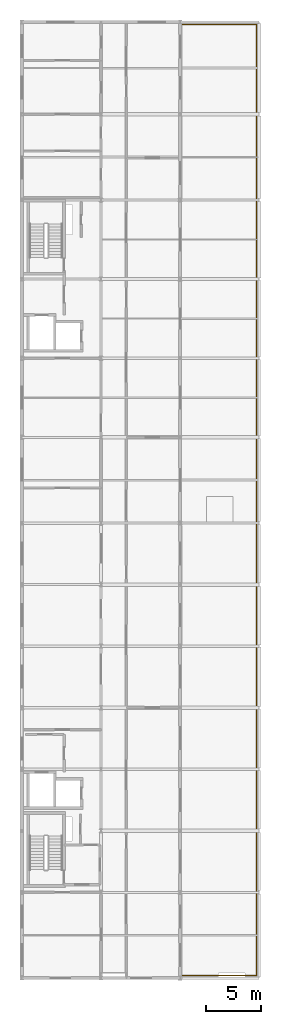
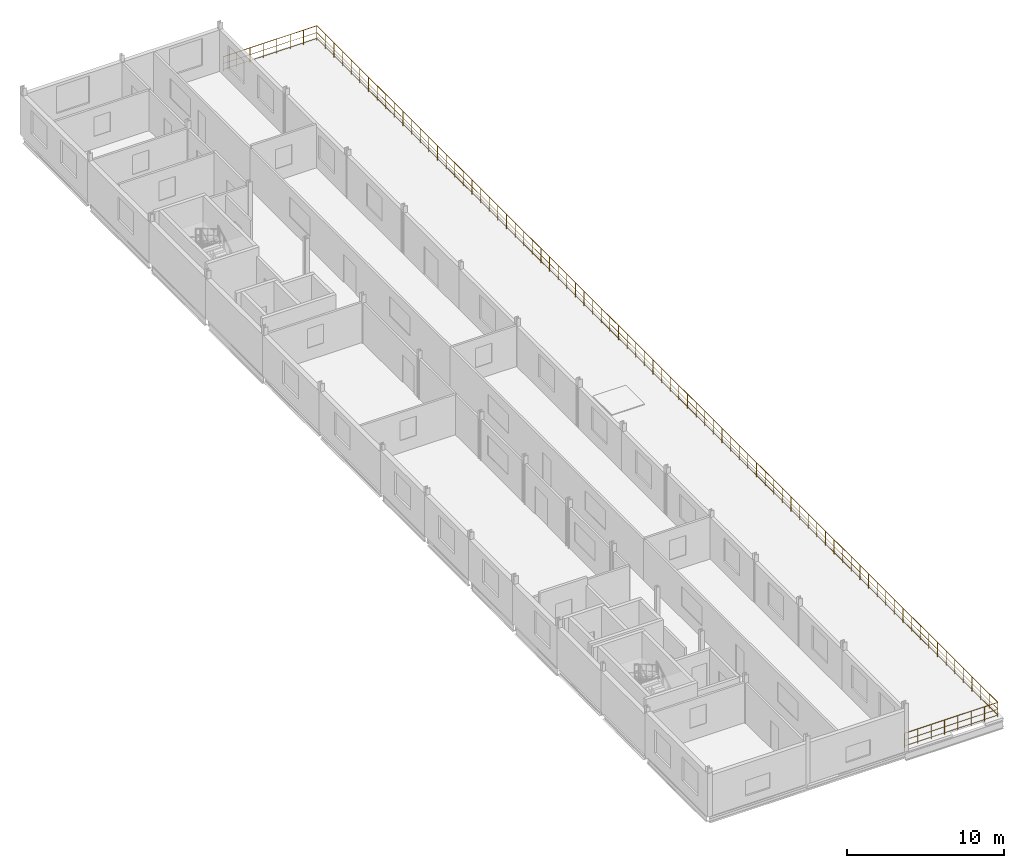
# One storey, part 13 of 14: 1 railing.
"""IFC4 building model written with IfcOpenShell, lengths in metres."""

import ifcopenshell
import ifcopenshell.guid

model = None  # the IFC model being written
_history = None  # IfcOwnerHistory: only IFC2X3 demands one
_inside = {}  # id of a spatial element -> (the spatial element, [elements in it])
_under = {}  # id of a project, library or spatial element -> (it, [spatial elements below it])
_declared = {}  # id of a project -> (the project, [libraries it declares])
_typed = {}  # id of a type object -> (the type object, [elements of that type])
_made_of = {}  # id of a material, layer set ... -> (it, [elements and type objects made of it])


def new_model(schema):
    """Start an empty IFC model of exactly this schema.

    Asked for "IFC4X3", IfcOpenShell would pick the latest addendum, in which some entities
    have other attributes; the version numbers below select the first issue.
    IFC2X3 requires an IfcOwnerHistory on every rooted entity: one is made here for all.
    """
    global model, _history
    if schema == "IFC4X3":
        model = ifcopenshell.file(schema_version=(4, 3, 0, 0))
    else:
        model = ifcopenshell.file(schema=schema)
    _inside.clear()
    _under.clear()
    _declared.clear()
    _typed.clear()
    _made_of.clear()
    _history = None
    if model.schema == "IFC2X3":
        org = make("IfcOrganization", Name="unknown")
        user = make(
            "IfcPersonAndOrganization",
            ThePerson=make("IfcPerson", FamilyName="unknown"),
            TheOrganization=org,
        )
        app = make(
            "IfcApplication",
            ApplicationDeveloper=org,
            Version="unknown",
            ApplicationFullName="unknown",
            ApplicationIdentifier="unknown",
        )
        _history = make(
            "IfcOwnerHistory",
            OwningUser=user,
            OwningApplication=app,
            ChangeAction="ADDED",
            CreationDate=0,
        )
    return model


def make(cls, **values):
    """One entity of the class cls with the attributes given. An attribute that is None is left unset."""
    return model.create_entity(
        cls, **{name: value for name, value in values.items() if value is not None}
    )


def rooted(cls, **values):
    """An entity with a GlobalId (a new one), such as an element, a storey or a relation."""
    return make(cls, GlobalId=ifcopenshell.guid.new(), OwnerHistory=_history, **values)


def si_unit(unit_type, name, prefix=None):
    """IfcSIUnit, for example si_unit("LENGTHUNIT", "METRE", prefix="MILLI")."""
    return make("IfcSIUnit", UnitType=unit_type, Prefix=prefix, Name=name)


def assignment(units):
    """IfcUnitAssignment: the units of a project."""
    return None if units is None else make("IfcUnitAssignment", Units=units)


def point(xyz):
    """IfcCartesianPoint."""
    return None if xyz is None else make("IfcCartesianPoint", Coordinates=xyz)


def direction(xyz):
    """IfcDirection."""
    return None if xyz is None else make("IfcDirection", DirectionRatios=xyz)


def frame(location, z_axis=None, x_axis=None):
    """IfcAxis2Placement3D, a coordinate frame: its origin and axes. An axis left out is left unset."""
    return make(
        "IfcAxis2Placement3D",
        Location=point(location),
        Axis=direction(z_axis),
        RefDirection=direction(x_axis),
    )


def frame_2d(location, x_axis=None):
    """IfcAxis2Placement2D, a coordinate frame in the plane: its origin and x axis."""
    return make(
        "IfcAxis2Placement2D", Location=point(location), RefDirection=direction(x_axis)
    )


def origin():
    """The frame at (0, 0, 0) with its axes left unset."""
    return frame((0.0, 0.0, 0.0))


def origin_2d():
    """The frame at (0, 0) in the plane with its x axis left unset."""
    return frame_2d((0.0, 0.0))


def place(relative_to, where):
    """IfcLocalPlacement: puts the frame where relative to a parent placement (None: the world)."""
    return make(
        "IfcLocalPlacement", PlacementRelTo=relative_to, RelativePlacement=where
    )


def context(
    kind, dimensions, precision=None, world=None, true_north=None, identifier=None
):
    """IfcGeometricRepresentationContext, for example the 3D "Model" context."""
    return make(
        "IfcGeometricRepresentationContext",
        ContextIdentifier=identifier,
        ContextType=kind,
        CoordinateSpaceDimension=dimensions,
        Precision=precision,
        WorldCoordinateSystem=world,
        TrueNorth=true_north,
    )


def subcontext(parent, identifier, kind, view, scale=None):
    """IfcGeometricRepresentationSubContext, for example "Body" below "Model"."""
    return make(
        "IfcGeometricRepresentationSubContext",
        ContextIdentifier=identifier,
        ContextType=kind,
        ParentContext=parent,
        TargetScale=scale,
        TargetView=view,
    )


def project(units=None, contexts=None):
    """IfcProject with its units and contexts."""
    return rooted(
        "IfcProject",
        Name="project",
        RepresentationContexts=contexts,
        UnitsInContext=assignment(units),
    )


def spatial(cls, under=None, at=None, **own):
    """A site, building, storey or space (cls), placed at a placement, below another one or the project."""
    s = rooted(cls, ObjectPlacement=at, **own)
    if under is not None:
        _under.setdefault(under.id(), (under, []))[1].append(s)
    return s


def profile(cls, at=None, kind="AREA", **sizes):
    """A parametric profile (cls). Its sizes go by their IFC names, for example OverallWidth=200.0."""
    return make(cls, ProfileType=kind, Position=at, **sizes)


def circle(**sizes):
    """IfcCircleProfileDef."""
    return profile("IfcCircleProfileDef", **sizes)


def extrude(swept, where, along, depth):
    """IfcExtrudedAreaSolid: the profile swept, set in the frame where, extruded along a direction by depth."""
    return make(
        "IfcExtrudedAreaSolid",
        SweptArea=swept,
        Position=where,
        ExtrudedDirection=direction(along),
        Depth=depth,
    )


def shape(context_of_items, identifier, shape_type, items):
    """IfcShapeRepresentation: the items that make up one representation, for example the "Body"."""
    return make(
        "IfcShapeRepresentation",
        ContextOfItems=context_of_items,
        RepresentationIdentifier=identifier,
        RepresentationType=shape_type,
        Items=items,
    )


def material(Name=None, Category=None):
    """IfcMaterial."""
    return make("IfcMaterial", Name=Name, Category=Category)


def made_of(thing, what):
    """Note that an element or type object is made of a material, layer set ...; save() writes the relation."""
    if what is not None:
        _made_of.setdefault(what.id(), (what, []))[1].append(thing)
    return thing


def type_object(cls, material=None, **own):
    """A type object (cls), such as IfcWallType, which elements share."""
    return made_of(rooted(cls, **own), material)


def element(
    cls,
    number,
    at=None,
    inside=None,
    cuts=None,
    type_object=None,
    material=None,
    context=None,
    identifier="Body",
    shape_type=None,
    held_by="IfcProductDefinitionShape",
    body=None,
    shapes=None,
    **own,
):
    """One element of the class cls, such as IfcWall. Its Tag is "e" and its number.

    at: its placement. inside: the storey or other place that contains it. cuts: it is an
    opening in that element (IfcRelVoidsElement). A single representation is given by context,
    identifier, shape_type and body (its items); several are given by shapes. held_by: the class
    of the entity that holds the representations. save() writes the other relations.
    """
    e = rooted(cls, Tag="e%d" % number, ObjectPlacement=at, **own)
    if body is not None:
        shapes = [shape(context, identifier, shape_type, body)]
    if shapes is not None:
        e.Representation = make(held_by, Representations=shapes)
    if inside is not None:
        _inside.setdefault(inside.id(), (inside, []))[1].append(e)
    if cuts is not None:
        rooted(
            "IfcRelVoidsElement", RelatingBuildingElement=cuts, RelatedOpeningElement=e
        )
    if type_object is not None:
        _typed.setdefault(type_object.id(), (type_object, []))[1].append(e)
    return made_of(e, material)


def aggregate(whole, parts):
    """IfcRelAggregates: a whole, such as a stair, and the parts it consists of."""
    return rooted("IfcRelAggregates", RelatingObject=whole, RelatedObjects=parts)


def save(model, path):
    """Write the relations noted so far, then the file.

    IfcRelAggregates (storeys below a building ...), IfcRelContainedInSpatialStructure (elements
    in a storey), IfcRelDefinesByType, IfcRelAssociatesMaterial and IfcRelDeclares: one each for
    every whole, place, type object, material and project.
    """
    for whole, parts in _under.values():
        aggregate(whole, parts)
    for where, things in _inside.values():
        rooted(
            "IfcRelContainedInSpatialStructure",
            RelatedElements=things,
            RelatingStructure=where,
        )
    for kind, things in _typed.values():
        rooted("IfcRelDefinesByType", RelatedObjects=things, RelatingType=kind)
    for what, things in _made_of.values():
        rooted("IfcRelAssociatesMaterial", RelatedObjects=things, RelatingMaterial=what)
    for by, libraries in _declared.values():
        rooted("IfcRelDeclares", RelatingContext=by, RelatedDefinitions=libraries)
    model.write(path)


model = new_model("IFC4")

# Units and contexts
model_context = context("Model", 3, precision=1e-05, world=origin(), true_north=direction((0.0, 1.0)))
body_context = subcontext(model_context, "Body", "Model", "MODEL_VIEW")
ifc_project = project(units=[si_unit("LENGTHUNIT", "METRE"), si_unit("AREAUNIT", "SQUARE_METRE"), si_unit("VOLUMEUNIT", "CUBIC_METRE"), si_unit("PLANEANGLEUNIT", "RADIAN"), si_unit("MASSUNIT", "GRAM", prefix="KILO")], contexts=[model_context])

# Site, building, storey
site_placement = place(None, origin())
site = spatial("IfcSite", under=ifc_project, at=site_placement, CompositionType="ELEMENT")
building_placement = place(site_placement, origin())
building = spatial("IfcBuilding", under=site, at=building_placement, Name="Vinh Khe Railworks Police Headquarters", CompositionType="ELEMENT")
storey_placement = place(building_placement, frame((0.0, 0.0, 32.699951171875)))
storey = spatial("IfcBuildingStorey", under=building, at=storey_placement, Name="L08", CompositionType="ELEMENT", Elevation=32.699951171875)

# Railing
ifc_material = material(Name="Dark steel and laminated safety glass", Category="steel")
railing_type = type_object("IfcRailingType", Name="RL-ATRIUM-1150", PredefinedType="BALUSTRADE", material=ifc_material)
railing_placement = place(storey_placement, frame((15.10009765625, 17.64990234375, 0.0)))
element("IfcRailing", 1, at=railing_placement, inside=storey, type_object=railing_type, Name="Atrium and Terrace Guard Balustrade GR-V5-L08-TERR", PredefinedType="BALUSTRADE", context=body_context, shape_type="SweptSolid", body=[
    extrude(circle(Radius=0.02392578125, at=origin_2d()), frame((0.0, 0.0, 1.1259765625), z_axis=(1.0, 0.0, 0.0), x_axis=(0.0, 1.0, 0.0)), (0.0, 0.0, 1.0), 6.849853515625),
    extrude(circle(Radius=0.01416015625, at=origin_2d()), frame((0.0, 0.0, 0.137939453125), z_axis=(1.0, 0.0, 0.0), x_axis=(0.0, 1.0, 0.0)), (0.0, 0.0, 1.0), 6.849853515625),
    extrude(circle(Radius=0.01416015625, at=origin_2d()), frame((0.0, 0.0, 0.597900390625), z_axis=(1.0, 0.0, 0.0), x_axis=(0.0, 1.0, 0.0)), (0.0, 0.0, 1.0), 6.849853515625),
    extrude(circle(Radius=0.02392578125, at=origin_2d()), frame((6.849853515625, 0.0, 1.1259765625), z_axis=(0.0, 1.0, 0.0), x_axis=(-1.0, 0.0, 0.0)), (0.0, 0.0, 1.0), 86.5),
    extrude(circle(Radius=0.01416015625, at=origin_2d()), frame((6.849853515625, 0.0, 0.137939453125), z_axis=(0.0, 1.0, 0.0), x_axis=(-1.0, 0.0, 0.0)), (0.0, 0.0, 1.0), 86.5),
    extrude(circle(Radius=0.01416015625, at=origin_2d()), frame((6.849853515625, 0.0, 0.597900390625), z_axis=(0.0, 1.0, 0.0), x_axis=(-1.0, 0.0, 0.0)), (0.0, 0.0, 1.0), 86.5),
    extrude(circle(Radius=0.02392578125, at=origin_2d()), frame((6.849853515625, 86.5, 1.1259765625), z_axis=(-1.0, 0.0, 0.0), x_axis=(0.0, -1.0, 0.0)), (0.0, 0.0, 1.0), 6.849853515625),
    extrude(circle(Radius=0.01416015625, at=origin_2d()), frame((6.849853515625, 86.5, 0.137939453125), z_axis=(-1.0, 0.0, 0.0), x_axis=(0.0, -1.0, 0.0)), (0.0, 0.0, 1.0), 6.849853515625),
    extrude(circle(Radius=0.01416015625, at=origin_2d()), frame((6.849853515625, 86.5, 0.597900390625), z_axis=(-1.0, 0.0, 0.0), x_axis=(0.0, -1.0, 0.0)), (0.0, 0.0, 1.0), 6.849853515625),
    extrude(circle(Radius=0.02099609375, at=origin_2d()), origin(), (0.0, 0.0, 1.0), 1.101806640625),
    extrude(circle(Radius=0.02099609375, at=origin_2d()), frame((0.978515625, 0.0, 0.0)), (0.0, 0.0, 1.0), 1.101806640625),
    extrude(circle(Radius=0.02099609375, at=origin_2d()), frame((1.95703125, 0.0, 0.0)), (0.0, 0.0, 1.0), 1.101806640625),
    extrude(circle(Radius=0.02099609375, at=origin_2d()), frame((2.935546875, 0.0, 0.0)), (0.0, 0.0, 1.0), 1.101806640625),
    extrude(circle(Radius=0.02099609375, at=origin_2d()), frame((3.914306640625, 0.0, 0.0)), (0.0, 0.0, 1.0), 1.101806640625),
    extrude(circle(Radius=0.02099609375, at=origin_2d()), frame((4.892822265625, 0.0, 0.0)), (0.0, 0.0, 1.0), 1.101806640625),
    extrude(circle(Radius=0.02099609375, at=origin_2d()), frame((5.871337890625, 0.0, 0.0)), (0.0, 0.0, 1.0), 1.101806640625),
    extrude(circle(Radius=0.02099609375, at=origin_2d()), frame((6.849853515625, 0.0, 0.0)), (0.0, 0.0, 1.0), 1.101806640625),
    extrude(circle(Radius=0.02099609375, at=origin_2d()), frame((6.849853515625, 1.094970703125, 0.0)), (0.0, 0.0, 1.0), 1.101806640625),
    extrude(circle(Radius=0.02099609375, at=origin_2d()), frame((6.849853515625, 2.18994140625, 0.0)), (0.0, 0.0, 1.0), 1.101806640625),
    extrude(circle(Radius=0.02099609375, at=origin_2d()), frame((6.849853515625, 3.284912109375, 0.0)), (0.0, 0.0, 1.0), 1.101806640625),
    extrude(circle(Radius=0.02099609375, at=origin_2d()), frame((6.849853515625, 4.379638671875, 0.0)), (0.0, 0.0, 1.0), 1.101806640625),
    extrude(circle(Radius=0.02099609375, at=origin_2d()), frame((6.849853515625, 5.474609375, 0.0)), (0.0, 0.0, 1.0), 1.101806640625),
    extrude(circle(Radius=0.02099609375, at=origin_2d()), frame((6.849853515625, 6.569580078125, 0.0)), (0.0, 0.0, 1.0), 1.101806640625),
    extrude(circle(Radius=0.02099609375, at=origin_2d()), frame((6.849853515625, 7.66455078125, 0.0)), (0.0, 0.0, 1.0), 1.101806640625),
    extrude(circle(Radius=0.02099609375, at=origin_2d()), frame((6.849853515625, 8.759521484375, 0.0)), (0.0, 0.0, 1.0), 1.101806640625),
    extrude(circle(Radius=0.02099609375, at=origin_2d()), frame((6.849853515625, 9.8544921875, 0.0)), (0.0, 0.0, 1.0), 1.101806640625),
    extrude(circle(Radius=0.02099609375, at=origin_2d()), frame((6.849853515625, 10.949462890625, 0.0)), (0.0, 0.0, 1.0), 1.101806640625),
    extrude(circle(Radius=0.02099609375, at=origin_2d()), frame((6.849853515625, 12.044189453125, 0.0)), (0.0, 0.0, 1.0), 1.101806640625),
    extrude(circle(Radius=0.02099609375, at=origin_2d()), frame((6.849853515625, 13.13916015625, 0.0)), (0.0, 0.0, 1.0), 1.101806640625),
    extrude(circle(Radius=0.02099609375, at=origin_2d()), frame((6.849853515625, 14.234130859375, 0.0)), (0.0, 0.0, 1.0), 1.101806640625),
    extrude(circle(Radius=0.02099609375, at=origin_2d()), frame((6.849853515625, 15.3291015625, 0.0)), (0.0, 0.0, 1.0), 1.101806640625),
    extrude(circle(Radius=0.02099609375, at=origin_2d()), frame((6.849853515625, 16.424072265625, 0.0)), (0.0, 0.0, 1.0), 1.101806640625),
    extrude(circle(Radius=0.02099609375, at=origin_2d()), frame((6.849853515625, 17.51904296875, 0.0)), (0.0, 0.0, 1.0), 1.101806640625),
    extrude(circle(Radius=0.02099609375, at=origin_2d()), frame((6.849853515625, 18.614013671875, 0.0)), (0.0, 0.0, 1.0), 1.101806640625),
    extrude(circle(Radius=0.02099609375, at=origin_2d()), frame((6.849853515625, 19.708740234375, 0.0)), (0.0, 0.0, 1.0), 1.101806640625),
    extrude(circle(Radius=0.02099609375, at=origin_2d()), frame((6.849853515625, 20.8037109375, 0.0)), (0.0, 0.0, 1.0), 1.101806640625),
    extrude(circle(Radius=0.02099609375, at=origin_2d()), frame((6.849853515625, 21.898681640625, 0.0)), (0.0, 0.0, 1.0), 1.101806640625),
    extrude(circle(Radius=0.02099609375, at=origin_2d()), frame((6.849853515625, 22.99365234375, 0.0)), (0.0, 0.0, 1.0), 1.101806640625),
    extrude(circle(Radius=0.02099609375, at=origin_2d()), frame((6.849853515625, 24.088623046875, 0.0)), (0.0, 0.0, 1.0), 1.101806640625),
    extrude(circle(Radius=0.02099609375, at=origin_2d()), frame((6.849853515625, 25.18359375, 0.0)), (0.0, 0.0, 1.0), 1.101806640625),
    extrude(circle(Radius=0.02099609375, at=origin_2d()), frame((6.849853515625, 26.278564453125, 0.0)), (0.0, 0.0, 1.0), 1.101806640625),
    extrude(circle(Radius=0.02099609375, at=origin_2d()), frame((6.849853515625, 27.37353515625, 0.0)), (0.0, 0.0, 1.0), 1.101806640625),
    extrude(circle(Radius=0.02099609375, at=origin_2d()), frame((6.849853515625, 28.46826171875, 0.0)), (0.0, 0.0, 1.0), 1.101806640625),
    extrude(circle(Radius=0.02099609375, at=origin_2d()), frame((6.849853515625, 29.563232421875, 0.0)), (0.0, 0.0, 1.0), 1.101806640625),
    extrude(circle(Radius=0.02099609375, at=origin_2d()), frame((6.849853515625, 30.658203125, 0.0)), (0.0, 0.0, 1.0), 1.101806640625),
    extrude(circle(Radius=0.02099609375, at=origin_2d()), frame((6.849853515625, 31.753173828125, 0.0)), (0.0, 0.0, 1.0), 1.101806640625),
    extrude(circle(Radius=0.02099609375, at=origin_2d()), frame((6.849853515625, 32.84814453125, 0.0)), (0.0, 0.0, 1.0), 1.101806640625),
    extrude(circle(Radius=0.02099609375, at=origin_2d()), frame((6.849853515625, 33.943115234375, 0.0)), (0.0, 0.0, 1.0), 1.101806640625),
    extrude(circle(Radius=0.02099609375, at=origin_2d()), frame((6.849853515625, 35.0380859375, 0.0)), (0.0, 0.0, 1.0), 1.101806640625),
    extrude(circle(Radius=0.02099609375, at=origin_2d()), frame((6.849853515625, 36.1328125, 0.0)), (0.0, 0.0, 1.0), 1.101806640625),
    extrude(circle(Radius=0.02099609375, at=origin_2d()), frame((6.849853515625, 37.227783203125, 0.0)), (0.0, 0.0, 1.0), 1.101806640625),
    extrude(circle(Radius=0.02099609375, at=origin_2d()), frame((6.849853515625, 38.32275390625, 0.0)), (0.0, 0.0, 1.0), 1.101806640625),
    extrude(circle(Radius=0.02099609375, at=origin_2d()), frame((6.849853515625, 39.417724609375, 0.0)), (0.0, 0.0, 1.0), 1.101806640625),
    extrude(circle(Radius=0.02099609375, at=origin_2d()), frame((6.849853515625, 40.5126953125, 0.0)), (0.0, 0.0, 1.0), 1.101806640625),
    extrude(circle(Radius=0.02099609375, at=origin_2d()), frame((6.849853515625, 41.607666015625, 0.0)), (0.0, 0.0, 1.0), 1.101806640625),
    extrude(circle(Radius=0.02099609375, at=origin_2d()), frame((6.849853515625, 42.70263671875, 0.0)), (0.0, 0.0, 1.0), 1.101806640625),
    extrude(circle(Radius=0.02099609375, at=origin_2d()), frame((6.849853515625, 43.79736328125, 0.0)), (0.0, 0.0, 1.0), 1.101806640625),
    extrude(circle(Radius=0.02099609375, at=origin_2d()), frame((6.849853515625, 44.892333984375, 0.0)), (0.0, 0.0, 1.0), 1.101806640625),
    extrude(circle(Radius=0.02099609375, at=origin_2d()), frame((6.849853515625, 45.9873046875, 0.0)), (0.0, 0.0, 1.0), 1.101806640625),
    extrude(circle(Radius=0.02099609375, at=origin_2d()), frame((6.849853515625, 47.082275390625, 0.0)), (0.0, 0.0, 1.0), 1.101806640625),
    extrude(circle(Radius=0.02099609375, at=origin_2d()), frame((6.849853515625, 48.17724609375, 0.0)), (0.0, 0.0, 1.0), 1.101806640625),
    extrude(circle(Radius=0.02099609375, at=origin_2d()), frame((6.849853515625, 49.272216796875, 0.0)), (0.0, 0.0, 1.0), 1.101806640625),
    extrude(circle(Radius=0.02099609375, at=origin_2d()), frame((6.849853515625, 50.3671875, 0.0)), (0.0, 0.0, 1.0), 1.101806640625),
    extrude(circle(Radius=0.02099609375, at=origin_2d()), frame((6.849853515625, 51.4619140625, 0.0)), (0.0, 0.0, 1.0), 1.101806640625),
    extrude(circle(Radius=0.02099609375, at=origin_2d()), frame((6.849853515625, 52.556884765625, 0.0)), (0.0, 0.0, 1.0), 1.101806640625),
    extrude(circle(Radius=0.02099609375, at=origin_2d()), frame((6.849853515625, 53.65185546875, 0.0)), (0.0, 0.0, 1.0), 1.101806640625),
    extrude(circle(Radius=0.02099609375, at=origin_2d()), frame((6.849853515625, 54.746826171875, 0.0)), (0.0, 0.0, 1.0), 1.101806640625),
    extrude(circle(Radius=0.02099609375, at=origin_2d()), frame((6.849853515625, 55.841796875, 0.0)), (0.0, 0.0, 1.0), 1.101806640625),
    extrude(circle(Radius=0.02099609375, at=origin_2d()), frame((6.849853515625, 56.936767578125, 0.0)), (0.0, 0.0, 1.0), 1.101806640625),
    extrude(circle(Radius=0.02099609375, at=origin_2d()), frame((6.849853515625, 58.03173828125, 0.0)), (0.0, 0.0, 1.0), 1.101806640625),
    extrude(circle(Radius=0.02099609375, at=origin_2d()), frame((6.849853515625, 59.12646484375, 0.0)), (0.0, 0.0, 1.0), 1.101806640625),
    extrude(circle(Radius=0.02099609375, at=origin_2d()), frame((6.849853515625, 60.221435546875, 0.0)), (0.0, 0.0, 1.0), 1.101806640625),
    extrude(circle(Radius=0.02099609375, at=origin_2d()), frame((6.849853515625, 61.31640625, 0.0)), (0.0, 0.0, 1.0), 1.101806640625),
    extrude(circle(Radius=0.02099609375, at=origin_2d()), frame((6.849853515625, 62.411376953125, 0.0)), (0.0, 0.0, 1.0), 1.101806640625),
    extrude(circle(Radius=0.02099609375, at=origin_2d()), frame((6.849853515625, 63.50634765625, 0.0)), (0.0, 0.0, 1.0), 1.101806640625),
    extrude(circle(Radius=0.02099609375, at=origin_2d()), frame((6.849853515625, 64.601318359375, 0.0)), (0.0, 0.0, 1.0), 1.101806640625),
    extrude(circle(Radius=0.02099609375, at=origin_2d()), frame((6.849853515625, 65.6962890625, 0.0)), (0.0, 0.0, 1.0), 1.101806640625),
    extrude(circle(Radius=0.02099609375, at=origin_2d()), frame((6.849853515625, 66.791259765625, 0.0)), (0.0, 0.0, 1.0), 1.101806640625),
    extrude(circle(Radius=0.02099609375, at=origin_2d()), frame((6.849853515625, 67.885986328125, 0.0)), (0.0, 0.0, 1.0), 1.101806640625),
    extrude(circle(Radius=0.02099609375, at=origin_2d()), frame((6.849853515625, 68.98095703125, 0.0)), (0.0, 0.0, 1.0), 1.101806640625),
    extrude(circle(Radius=0.02099609375, at=origin_2d()), frame((6.849853515625, 70.075927734375, 0.0)), (0.0, 0.0, 1.0), 1.101806640625),
    extrude(circle(Radius=0.02099609375, at=origin_2d()), frame((6.849853515625, 71.1708984375, 0.0)), (0.0, 0.0, 1.0), 1.101806640625),
    extrude(circle(Radius=0.02099609375, at=origin_2d()), frame((6.849853515625, 72.265869140625, 0.0)), (0.0, 0.0, 1.0), 1.101806640625),
    extrude(circle(Radius=0.02099609375, at=origin_2d()), frame((6.849853515625, 73.36083984375, 0.0)), (0.0, 0.0, 1.0), 1.101806640625),
    extrude(circle(Radius=0.02099609375, at=origin_2d()), frame((6.849853515625, 74.455810546875, 0.0)), (0.0, 0.0, 1.0), 1.101806640625),
    extrude(circle(Radius=0.02099609375, at=origin_2d()), frame((6.849853515625, 75.550537109375, 0.0)), (0.0, 0.0, 1.0), 1.101806640625),
    extrude(circle(Radius=0.02099609375, at=origin_2d()), frame((6.849853515625, 76.6455078125, 0.0)), (0.0, 0.0, 1.0), 1.101806640625),
    extrude(circle(Radius=0.02099609375, at=origin_2d()), frame((6.849853515625, 77.740478515625, 0.0)), (0.0, 0.0, 1.0), 1.101806640625),
    extrude(circle(Radius=0.02099609375, at=origin_2d()), frame((6.849853515625, 78.83544921875, 0.0)), (0.0, 0.0, 1.0), 1.101806640625),
    extrude(circle(Radius=0.02099609375, at=origin_2d()), frame((6.849853515625, 79.930419921875, 0.0)), (0.0, 0.0, 1.0), 1.101806640625),
    extrude(circle(Radius=0.02099609375, at=origin_2d()), frame((6.849853515625, 81.025390625, 0.0)), (0.0, 0.0, 1.0), 1.101806640625),
    extrude(circle(Radius=0.02099609375, at=origin_2d()), frame((6.849853515625, 82.120361328125, 0.0)), (0.0, 0.0, 1.0), 1.101806640625),
    extrude(circle(Radius=0.02099609375, at=origin_2d()), frame((6.849853515625, 83.215087890625, 0.0)), (0.0, 0.0, 1.0), 1.101806640625),
    extrude(circle(Radius=0.02099609375, at=origin_2d()), frame((6.849853515625, 84.31005859375, 0.0)), (0.0, 0.0, 1.0), 1.101806640625),
    extrude(circle(Radius=0.02099609375, at=origin_2d()), frame((6.849853515625, 85.405029296875, 0.0)), (0.0, 0.0, 1.0), 1.101806640625),
    extrude(circle(Radius=0.02099609375, at=origin_2d()), frame((6.849853515625, 86.5, 0.0)), (0.0, 0.0, 1.0), 1.101806640625),
    extrude(circle(Radius=0.02099609375, at=origin_2d()), frame((5.871337890625, 86.5, 0.0)), (0.0, 0.0, 1.0), 1.101806640625),
    extrude(circle(Radius=0.02099609375, at=origin_2d()), frame((4.892822265625, 86.5, 0.0)), (0.0, 0.0, 1.0), 1.101806640625),
    extrude(circle(Radius=0.02099609375, at=origin_2d()), frame((3.914306640625, 86.5, 0.0)), (0.0, 0.0, 1.0), 1.101806640625),
    extrude(circle(Radius=0.02099609375, at=origin_2d()), frame((2.935546875, 86.5, 0.0)), (0.0, 0.0, 1.0), 1.101806640625),
    extrude(circle(Radius=0.02099609375, at=origin_2d()), frame((1.95703125, 86.5, 0.0)), (0.0, 0.0, 1.0), 1.101806640625),
    extrude(circle(Radius=0.02099609375, at=origin_2d()), frame((0.978515625, 86.5, 0.0)), (0.0, 0.0, 1.0), 1.101806640625),
    extrude(circle(Radius=0.02099609375, at=origin_2d()), frame((0.0, 86.5, 0.0)), (0.0, 0.0, 1.0), 1.101806640625),
])

save(model, "model.ifc")
